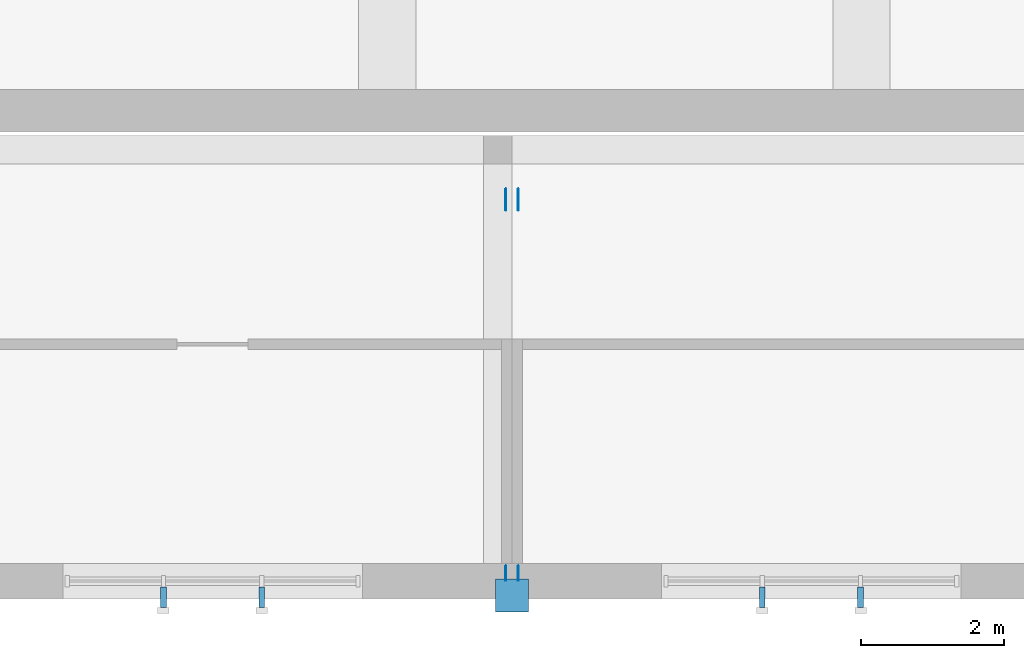
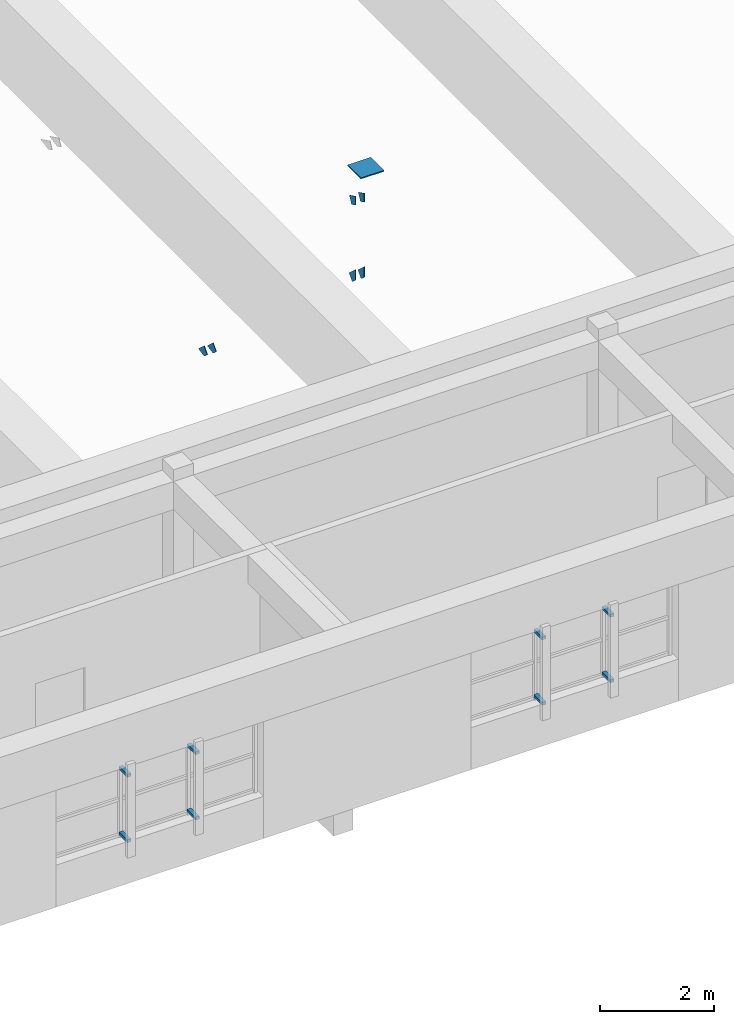
# One storey, part 17 of 28: 15 discrete accessories.
"""IFC4 building model written with IfcOpenShell, lengths in metres."""

from ifc_helpers import new_model, si_unit, direction, frame, origin, origin_2d, place, context, subcontext, project, spatial, polyline, rectangle, outline, extrude, material, layer, layer_set, type_object, element, save


model = new_model("IFC4")

# Units and contexts
model_context = context("Model", 3, precision=1e-05, world=origin(), true_north=direction((0.0, 1.0)))
body_context = subcontext(model_context, "Body", "Model", "MODEL_VIEW")
ifc_project = project(units=[si_unit("LENGTHUNIT", "METRE"), si_unit("AREAUNIT", "SQUARE_METRE"), si_unit("VOLUMEUNIT", "CUBIC_METRE"), si_unit("PLANEANGLEUNIT", "RADIAN"), si_unit("MASSUNIT", "GRAM", prefix="KILO")], contexts=[model_context])

# Site, building, storey
site_placement = place(None, origin())
site = spatial("IfcSite", under=ifc_project, at=site_placement, CompositionType="ELEMENT")
building_placement = place(site_placement, origin())
building = spatial("IfcBuilding", under=site, at=building_placement, Name="Ljudholm Concert House", CompositionType="ELEMENT")
storey_placement = place(building_placement, frame((0.0, 0.0, 19.199951171875)))
storey = spatial("IfcBuildingStorey", under=building, at=storey_placement, Name="L04", CompositionType="ELEMENT", Elevation=19.199951171875)

# Discrete accessories
ifc_material_1 = material(Name="Stainless steel bracket", Category="steel")
discrete_accessory_type_1 = type_object("IfcDiscreteAccessoryType", Name="BRACKET 290", PredefinedType="BRACKET", material=ifc_material_1)
for number, where, z_axis, x_axis, name in (
    (1, (66.31005859375, 54.175048828125, 0.969970703125), (0.0, 0.0, 1.0), (0.0, -1.0, 0.0), "Fin bracket"),
    (2, (66.31005859375, 54.175048828125, 2.3701171875), (0.0, 0.0, 1.0), (0.0, -1.0, 0.0), "Fin bracket"),
    (3, (67.68994140625, 54.175048828125, 0.969970703125), (0.0, 0.0, 1.0), (0.0, -1.0, 0.0), "Fin bracket"),
    (4, (67.68994140625, 54.175048828125, 2.3701171875), (0.0, 0.0, 1.0), (0.0, -1.0, 0.0), "Fin bracket"),
    (5, (74.7099609375, 54.175048828125, 0.969970703125), (0.0, 0.0, 1.0), (0.0, -1.0, 0.0), "Fin bracket"),
    (6, (74.7099609375, 54.175048828125, 2.3701171875), (0.0, 0.0, 1.0), (0.0, -1.0, 0.0), "Fin bracket"),
    (7, (76.090087890625, 54.175048828125, 0.969970703125), (0.0, 0.0, 1.0), (0.0, -1.0, 0.0), "Fin bracket"),
    (8, (76.090087890625, 54.175048828125, 2.3701171875), (0.0, 0.0, 1.0), (0.0, -1.0, 0.0), "Fin bracket"),
):
    element("IfcDiscreteAccessory", number, at=place(storey_placement, frame(where, z_axis=z_axis, x_axis=x_axis)), inside=storey, type_object=discrete_accessory_type_1, Name=name, PredefinedType="BRACKET", context=body_context, shape_type="SweptSolid", body=[
        extrude(rectangle(XDim=0.2900390625, YDim=0.080078125, at=origin_2d()), origin(), (0.0, 0.0, 1.0), 0.06005859375),
    ])
ifc_material_2 = material(Name="Steel ASTM A36 plate", Category="steel")
ifc_layer_1 = layer(ifc_material_2, 0.011962890625)
ifc_layer_set_1 = layer_set([ifc_layer_1], Name="Steel ASTM A36 plate")
discrete_accessory_type_2 = type_object("IfcDiscreteAccessoryType", Name="GUSSET PLATE 12", PredefinedType="BRACKET", material=ifc_layer_set_1)
for number, where, z_axis, x_axis, name in (
    (9, (71.10986328125, 54.4599609375, -19.199951171875), (0.0, 0.0, 1.0), (0.0, 1.0, 0.0), "Gusset plate"),
    (10, (71.2900390625, 54.4599609375, -19.199951171875), (0.0, 0.0, 1.0), (0.0, 1.0, 0.0), "Gusset plate"),
):
    element("IfcDiscreteAccessory", number, at=place(storey_placement, frame(where, z_axis=z_axis, x_axis=x_axis)), inside=storey, type_object=discrete_accessory_type_2, Name=name, PredefinedType="BRACKET", context=body_context, shape_type="SweptSolid", body=[
        extrude(outline(polyline([(0.053955078125, 30.19921875), (-0.056884765625, 30.30029296875), (-0.056884765625, 30.5283203125), (0.16748046875, 30.323486328125), (0.053955078125, 30.19921875)])), frame((0.0, 0.005859375, 0.0), z_axis=(0.0, -1.0, 0.0), x_axis=(1.0, 0.0, 0.0)), (0.0, 0.0, 1.0), 0.011962890625),
    ])
for number, where, z_axis, x_axis, name in (
    (11, (71.10986328125, 54.4599609375, -19.199951171875), (0.0, 0.0, 1.0), (0.0, 1.0, 0.0), "Gusset plate"),
    (12, (71.2900390625, 54.4599609375, -19.199951171875), (0.0, 0.0, 1.0), (0.0, 1.0, 0.0), "Gusset plate"),
):
    element("IfcDiscreteAccessory", number, at=place(storey_placement, frame(where, z_axis=z_axis, x_axis=x_axis)), inside=storey, type_object=discrete_accessory_type_2, Name=name, PredefinedType="BRACKET", context=body_context, shape_type="SweptSolid", body=[
        extrude(outline(polyline([(5.250732421875, 25.67919921875), (5.451904296875, 25.495361328125), (5.247802734375, 25.453857421875), (5.13720703125, 25.554931640625), (5.250732421875, 25.67919921875)])), frame((0.0, 0.005859375, 0.0), z_axis=(0.0, -1.0, 0.0), x_axis=(1.0, 0.0, 0.0)), (0.0, 0.0, 1.0), 0.011962890625),
    ])
for number, where, z_axis, x_axis, name in (
    (13, (71.10986328125, 54.440673828125, -19.199951171875), (0.0, 0.0, 1.0), (0.0, 1.0, 0.0), "Gusset plate"),
    (14, (71.2900390625, 54.440673828125, -19.199951171875), (0.0, 0.0, 1.0), (0.0, 1.0, 0.0), "Gusset plate"),
):
    element("IfcDiscreteAccessory", number, at=place(storey_placement, frame(where, z_axis=z_axis, x_axis=x_axis)), inside=storey, type_object=discrete_accessory_type_2, Name=name, PredefinedType="BRACKET", context=body_context, shape_type="SweptSolid", body=[
        extrude(outline(polyline([(0.096923828125, 31.8388671875), (-0.037353515625, 31.905517578125), (-0.037353515625, 32.09326171875), (0.171875, 31.989501953125), (0.096923828125, 31.8388671875)])), frame((0.0, 0.005859375, 0.0), z_axis=(0.0, -1.0, 0.0), x_axis=(1.0, 0.0, 0.0)), (0.0, 0.0, 1.0), 0.011962890625),
    ])
ifc_material_3 = material(Name="Steel ASTM A36 plate", Category="steel")
ifc_layer_2 = layer(ifc_material_3, 0.02490234375)
ifc_layer_set_2 = layer_set([ifc_layer_2], Name="Steel ASTM A36 plate")
discrete_accessory_type_3 = type_object("IfcDiscreteAccessoryType", Name="MAST CAP PLATE 25", PredefinedType="BRACKET", material=ifc_layer_set_2)
discrete_accessory_placement = place(storey_placement, frame((71.199951171875, 54.199951171875, 13.5751953125), z_axis=(0.0, 0.0, 1.0), x_axis=(1.0, 0.0, 0.0)))
element("IfcDiscreteAccessory", 15, at=discrete_accessory_placement, inside=storey, type_object=discrete_accessory_type_3, Name="Mast cap plate", PredefinedType="BRACKET", context=body_context, shape_type="SweptSolid", body=[
    extrude(rectangle(XDim=0.46630859375, YDim=0.46630859375, at=origin_2d()), origin(), (0.0, 0.0, 1.0), 0.02490234375),
])

save(model, "model.ifc")
